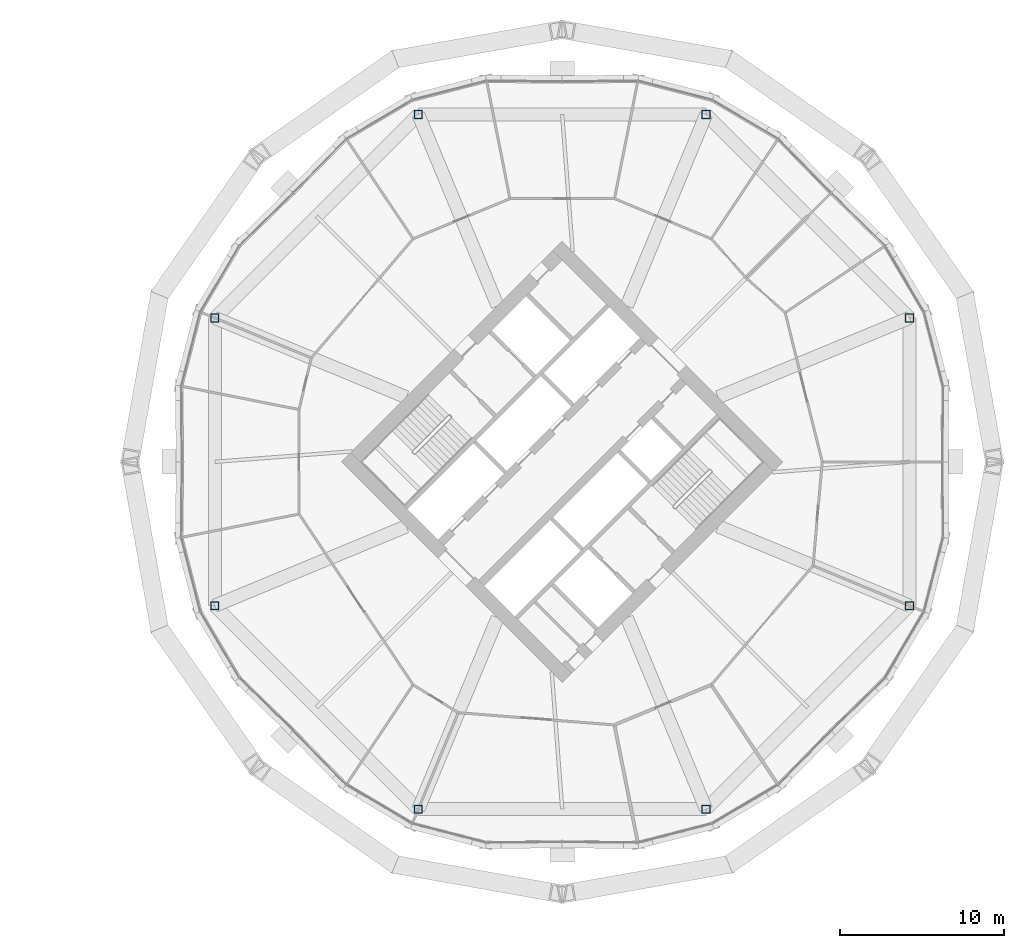
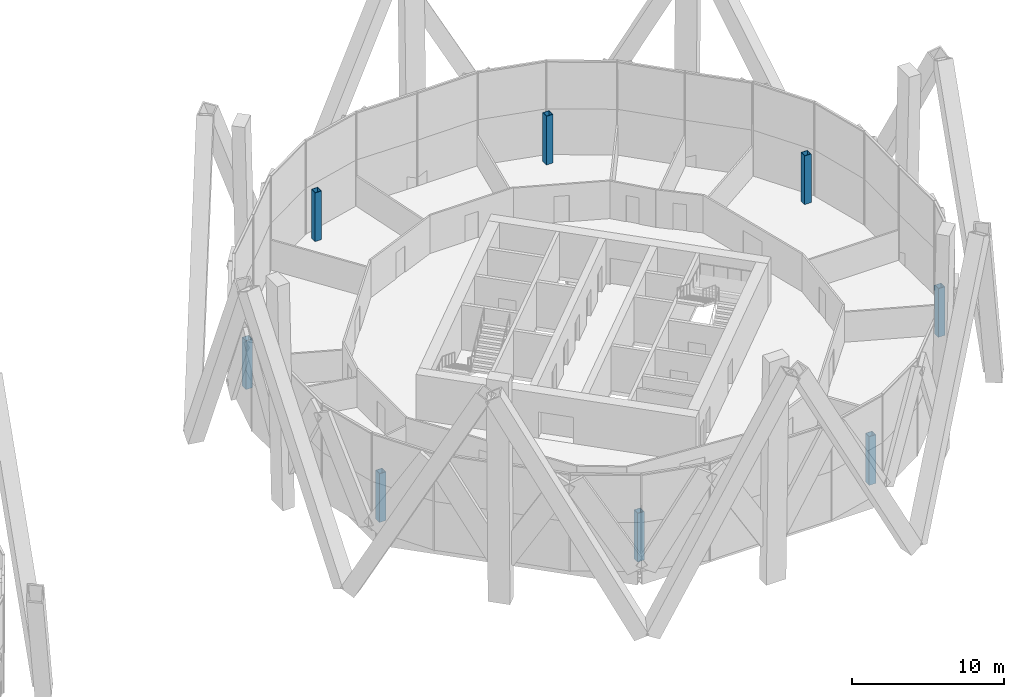
# One storey, part 2 of 31: 8 columns.
"""IFC4 building model written with IfcOpenShell, lengths in metres."""

from ifc_helpers import new_model, si_unit, direction, frame, origin, origin_2d, place, context, subcontext, project, spatial, hollow_rectangle, extrude, material, material_profile, profile_set, type_object, element, save


model = new_model("IFC4")

# Units and contexts
model_context = context("Model", 3, precision=1e-05, world=origin(), true_north=direction((0.0, 1.0)))
body_context = subcontext(model_context, "Body", "Model", "MODEL_VIEW")
ifc_project = project(units=[si_unit("LENGTHUNIT", "METRE"), si_unit("AREAUNIT", "SQUARE_METRE"), si_unit("VOLUMEUNIT", "CUBIC_METRE"), si_unit("PLANEANGLEUNIT", "RADIAN"), si_unit("MASSUNIT", "GRAM", prefix="KILO")], contexts=[model_context])

# Site, building, storey
site_placement = place(None, origin())
site = spatial("IfcSite", under=ifc_project, at=site_placement, CompositionType="ELEMENT")
building_placement = place(site_placement, origin())
building = spatial("IfcBuilding", under=site, at=building_placement, Name="Ogive Gate Towers", CompositionType="ELEMENT")
storey_placement = place(building_placement, frame((0.0, 0.0, 55.800048828125)))
storey = spatial("IfcBuildingStorey", under=building, at=storey_placement, Name="L12", CompositionType="ELEMENT", Elevation=55.800048828125)

# Columns
ifc_material = material(Name="Steel SM460", Category="steel")
ifc_material_profile = material_profile(ifc_material, hollow_rectangle(XDim=0.5, YDim=0.5, WallThickness=0.030029296875, at=origin_2d()), Name="BX 500x500x30")
ifc_profile_set = profile_set([ifc_material_profile], Name="Steel SM460")
column_type = type_object("IfcColumnType", Name="Perimeter post BX 500x500x30", PredefinedType="COLUMN", material=ifc_profile_set)
for number, where, z_axis, x_axis, name in (
    (1, (57.15673828125, 8.763427734375, 0.0), (0.0, 0.0, 1.0), (1.0, 0.0, 0.0), "T2/L12/SCL001"),
    (2, (44.763427734375, 21.15673828125, 0.0), (0.0, 0.0, 1.0), (1.0, 0.0, 0.0), "T2/L12/SCL002"),
    (3, (27.236572265625, 21.15673828125, 0.0), (0.0, 0.0, 1.0), (1.0, 0.0, 0.0), "T2/L12/SCL003"),
    (4, (14.84326171875, 8.763427734375, 0.0), (0.0, 0.0, 1.0), (1.0, 0.0, 0.0), "T2/L12/SCL004"),
    (5, (14.84326171875, -8.763427734375, 0.0), (0.0, 0.0, 1.0), (1.0, 0.0, 0.0), "T2/L12/SCL005"),
    (6, (27.236572265625, -21.15673828125, 0.0), (0.0, 0.0, 1.0), (1.0, 0.0, 0.0), "T2/L12/SCL006"),
    (7, (44.763427734375, -21.15673828125, 0.0), (0.0, 0.0, 1.0), (1.0, 0.0, 0.0), "T2/L12/SCL007"),
    (8, (57.15673828125, -8.763427734375, 0.0), (0.0, 0.0, 1.0), (1.0, 0.0, 0.0), "T2/L12/SCL008"),
):
    element("IfcColumn", number, at=place(storey_placement, frame(where, z_axis=z_axis, x_axis=x_axis)), inside=storey, type_object=column_type, Name=name, PredefinedType="COLUMN", context=body_context, shape_type="SweptSolid", body=[
        extrude(hollow_rectangle(XDim=0.5, YDim=0.5, WallThickness=0.030029296875, at=origin_2d()), origin(), (0.0, 0.0, 1.0), 3.89990234375),
    ])

save(model, "model.ifc")
